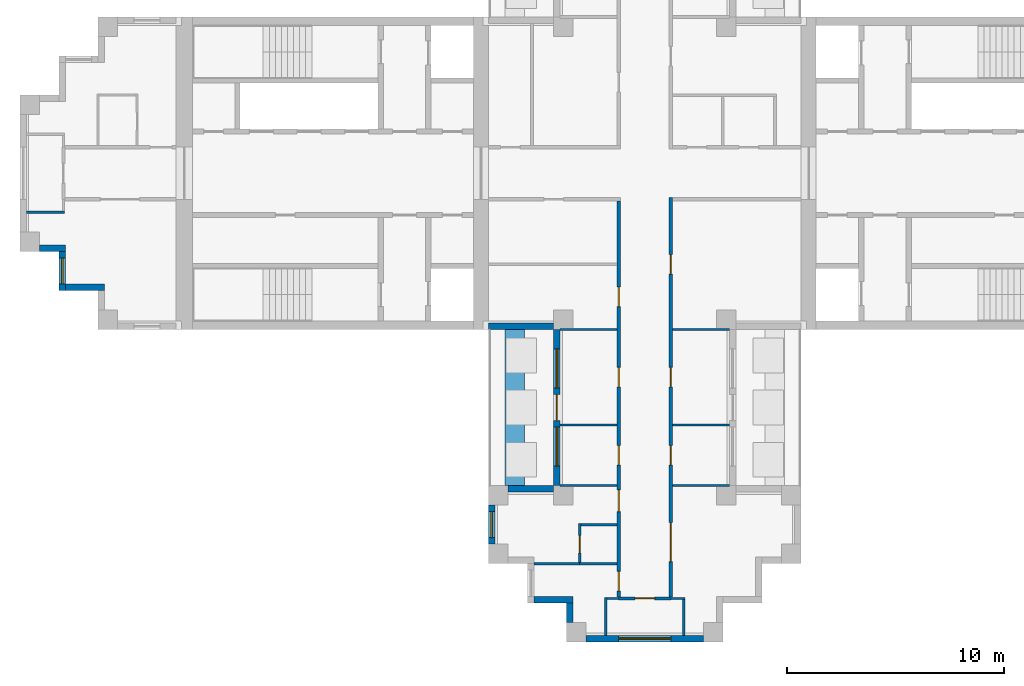
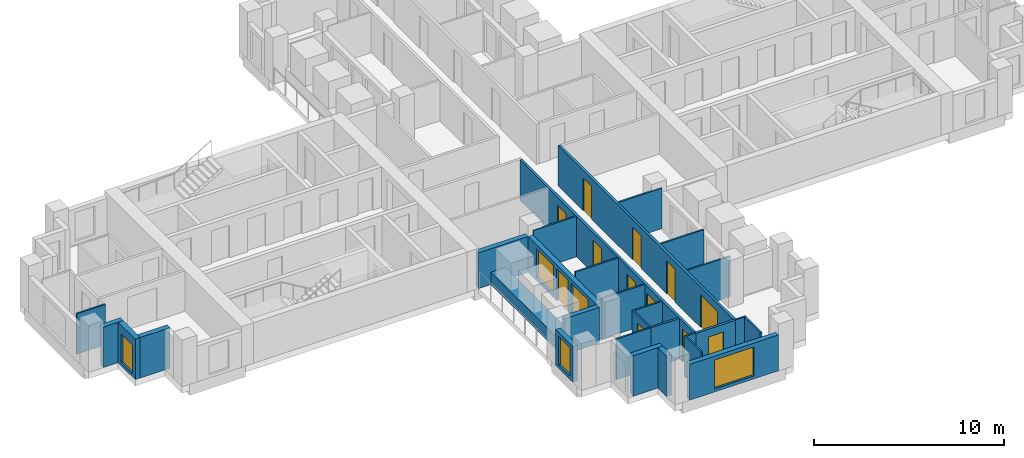
# One storey, part 2 of 9: 29 walls, 12 doors, 5 windows, 17 openings.
"""IFC4 building model written with IfcOpenShell, lengths in metres."""

from ifc_helpers import new_model, si_unit, direction, frame, frame_2d, origin, place, context, subcontext, project, spatial, rectangle, extrude, material, layer, layer_set, type_object, element, fill, save


model = new_model("IFC4")

# Units and contexts
model_context = context("Model", 3, precision=1e-05, world=origin(), true_north=direction((0.0, 1.0)))
body_context = subcontext(model_context, "Body", "Model", "MODEL_VIEW")
ifc_project = project(units=[si_unit("LENGTHUNIT", "METRE"), si_unit("AREAUNIT", "SQUARE_METRE"), si_unit("VOLUMEUNIT", "CUBIC_METRE"), si_unit("PLANEANGLEUNIT", "RADIAN"), si_unit("MASSUNIT", "GRAM", prefix="KILO")], contexts=[model_context])

# Site, building, storey
site_placement = place(None, origin())
site = spatial("IfcSite", under=ifc_project, at=site_placement, CompositionType="ELEMENT")
building_placement = place(site_placement, origin())
building = spatial("IfcBuilding", under=site, at=building_placement, Name="Fustian Cross Tower", CompositionType="ELEMENT")
storey_placement = place(building_placement, frame((0.0, 0.0, 219.89990234375)))
storey = spatial("IfcBuildingStorey", under=building, at=storey_placement, Name="L69", CompositionType="ELEMENT", Elevation=219.89990234375)

# Wall, openings, doors
ifc_material_1 = material(Name="Plasterboard on steel stud", Category="steel")
ifc_layer_1 = layer(ifc_material_1, 0.14990234375)
ifc_layer_set_1 = layer_set([ifc_layer_1], Name="Plasterboard on steel stud")
wall_type_1 = type_object("IfcWallType", Name="COMPARTMENT WALL 150 EI 60", PredefinedType="PARTITIONING", material=ifc_layer_set_1)
wall_1_placement = place(storey_placement, frame((-1.199951171875, -19.52490234375, 0.0), z_axis=(0.0, 0.0, 1.0), x_axis=(0.0, 1.0, 0.0)))
wall_1 = element("IfcWall", 1, at=wall_1_placement, inside=storey, type_object=wall_type_1, Name="Partition 29", PredefinedType="PARTITIONING", context=body_context, shape_type="SweptSolid", body=[
    extrude(rectangle(XDim=18.25, YDim=0.14990234375, at=frame_2d((9.125, 0.0))), origin(), (0.0, 0.0, 1.0), 2.60009765625),
])
opening_1_placement = place(wall_1_placement, frame((13.375, 0.0, 0.0)))
opening_1 = element("IfcOpeningElement", 2, at=opening_1_placement, cuts=wall_1, Name="Opening D31008", PredefinedType="OPENING", context=body_context, shape_type="SweptSolid", body=[
    extrude(rectangle(XDim=0.89990234375, YDim=2.10009765625, at=frame_2d((0.449951171875, 1.050048828125))), frame((0.0, 0.0849609375, 0.0), z_axis=(0.0, -1.0, 0.0), x_axis=(1.0, 0.0, 0.0)), (0.0, 0.0, 1.0), 0.169921875),
])
opening_2_placement = place(wall_1_placement, frame((6.074951171875, 0.0, 0.0)))
opening_2 = element("IfcOpeningElement", 3, at=opening_2_placement, cuts=wall_1, Name="Opening D31030", PredefinedType="OPENING", context=body_context, shape_type="SweptSolid", body=[
    extrude(rectangle(XDim=0.89990234375, YDim=2.10009765625, at=frame_2d((0.449951171875, 1.050048828125))), frame((0.0, 0.0849609375, 0.0), z_axis=(0.0, -1.0, 0.0), x_axis=(1.0, 0.0, 0.0)), (0.0, 0.0, 1.0), 0.169921875),
])
opening_3_placement = place(wall_1_placement, frame((9.675048828125, 0.0, 0.0)))
opening_3 = element("IfcOpeningElement", 4, at=opening_3_placement, cuts=wall_1, Name="Opening D31031", PredefinedType="OPENING", context=body_context, shape_type="SweptSolid", body=[
    extrude(rectangle(XDim=0.89990234375, YDim=2.10009765625, at=frame_2d((0.449951171875, 1.050048828125))), frame((0.0, 0.0849609375, 0.0), z_axis=(0.0, -1.0, 0.0), x_axis=(1.0, 0.0, 0.0)), (0.0, 0.0, 1.0), 0.169921875),
])
opening_4_placement = place(wall_1_placement, frame((3.925048828125, 0.0, 0.0)))
opening_4 = element("IfcOpeningElement", 5, at=opening_4_placement, cuts=wall_1, Name="Opening D31033", PredefinedType="OPENING", context=body_context, shape_type="SweptSolid", body=[
    extrude(rectangle(XDim=1.0, YDim=2.10009765625, at=frame_2d((0.5, 1.050048828125))), frame((0.0, 0.0849609375, 0.0), z_axis=(0.0, -1.0, 0.0), x_axis=(1.0, 0.0, 0.0)), (0.0, 0.0, 1.0), 0.169921875),
])
opening_5_placement = place(wall_1_placement, frame((0.27490234375, 0.0, 0.0)))
opening_5 = element("IfcOpeningElement", 6, at=opening_5_placement, cuts=wall_1, Name="Opening D31034", PredefinedType="OPENING", context=body_context, shape_type="SweptSolid", body=[
    extrude(rectangle(XDim=0.89990234375, YDim=2.10009765625, at=frame_2d((0.449951171875, 1.050048828125))), frame((0.0, 0.0849609375, 0.0), z_axis=(0.0, -1.0, 0.0), x_axis=(1.0, 0.0, 0.0)), (0.0, 0.0, 1.0), 0.169921875),
])
ifc_material_2 = material(Name="Timber fire door set", Category="wood")
door_type_1 = type_object("IfcDoorType", Name="FIRE SWING DOOR 1000 FD30S", OperationType="SINGLE_SWING_LEFT", PredefinedType="DOOR", material=ifc_material_2)
door_1_placement = place(opening_4_placement, origin())
door_1 = element("IfcDoor", 7, at=door_1_placement, inside=storey, type_object=door_type_1, Name="Door D31033", OperationType="SINGLE_SWING_RIGHT", OverallHeight=2.10009765625, OverallWidth=1.0, PredefinedType="DOOR", context=body_context, shape_type="SweptSolid", body=[
    extrude(rectangle(XDim=1.0, YDim=2.10009765625, at=frame_2d((0.5, 1.050048828125))), frame((0.0, 0.02490234375, 0.0), z_axis=(0.0, -1.0, 0.0), x_axis=(1.0, 0.0, 0.0)), (0.0, 0.0, 1.0), 0.050048828125),
])
fill(opening_4, door_1)
ifc_material_3 = material(Name="Timber fire door set", Category="wood")
door_type_2 = type_object("IfcDoorType", Name="FIRE SWING DOOR 900 FD30S", OperationType="SINGLE_SWING_LEFT", PredefinedType="DOOR", material=ifc_material_3)
door_2_placement = place(opening_1_placement, origin())
door_2 = element("IfcDoor", 8, at=door_2_placement, inside=storey, type_object=door_type_2, Name="Door D31008", OperationType="SINGLE_SWING_RIGHT", OverallHeight=2.10009765625, OverallWidth=0.89990234375, PredefinedType="DOOR", context=body_context, shape_type="SweptSolid", body=[
    extrude(rectangle(XDim=0.89990234375, YDim=2.10009765625, at=frame_2d((0.449951171875, 1.050048828125))), frame((0.0, 0.02490234375, 0.0), z_axis=(0.0, -1.0, 0.0), x_axis=(1.0, 0.0, 0.0)), (0.0, 0.0, 1.0), 0.050048828125),
])
fill(opening_1, door_2)
door_3_placement = place(opening_2_placement, origin())
door_3 = element("IfcDoor", 9, at=door_3_placement, inside=storey, type_object=door_type_2, Name="Door D31030", OperationType="SINGLE_SWING_LEFT", OverallHeight=2.10009765625, OverallWidth=0.89990234375, PredefinedType="DOOR", context=body_context, shape_type="SweptSolid", body=[
    extrude(rectangle(XDim=0.89990234375, YDim=2.10009765625, at=frame_2d((0.449951171875, 1.050048828125))), frame((0.0, 0.02490234375, 0.0), z_axis=(0.0, -1.0, 0.0), x_axis=(1.0, 0.0, 0.0)), (0.0, 0.0, 1.0), 0.050048828125),
])
fill(opening_2, door_3)
door_4_placement = place(opening_3_placement, origin())
door_4 = element("IfcDoor", 10, at=door_4_placement, inside=storey, type_object=door_type_2, Name="Door D31031", OperationType="SINGLE_SWING_LEFT", OverallHeight=2.10009765625, OverallWidth=0.89990234375, PredefinedType="DOOR", context=body_context, shape_type="SweptSolid", body=[
    extrude(rectangle(XDim=0.89990234375, YDim=2.10009765625, at=frame_2d((0.449951171875, 1.050048828125))), frame((0.0, 0.02490234375, 0.0), z_axis=(0.0, -1.0, 0.0), x_axis=(1.0, 0.0, 0.0)), (0.0, 0.0, 1.0), 0.050048828125),
])
fill(opening_3, door_4)
door_5_placement = place(opening_5_placement, origin())
door_5 = element("IfcDoor", 11, at=door_5_placement, inside=storey, type_object=door_type_2, Name="Door D31034", OperationType="SINGLE_SWING_LEFT", OverallHeight=2.10009765625, OverallWidth=0.89990234375, PredefinedType="DOOR", context=body_context, shape_type="SweptSolid", body=[
    extrude(rectangle(XDim=0.89990234375, YDim=2.10009765625, at=frame_2d((0.449951171875, 1.050048828125))), frame((0.0, 0.02490234375, 0.0), z_axis=(0.0, -1.0, 0.0), x_axis=(1.0, 0.0, 0.0)), (0.0, 0.0, 1.0), 0.050048828125),
])
fill(opening_5, door_5)

# Wall, opening, door
wall_2_placement = place(storey_placement, frame((-1.199951171875, -19.60009765625, 0.0), z_axis=(0.0, 0.0, 1.0), x_axis=(1.0, 0.0, 0.0)))
wall_2 = element("IfcWall", 12, at=wall_2_placement, inside=storey, type_object=wall_type_1, Name="Partition 30", PredefinedType="PARTITIONING", context=body_context, shape_type="SweptSolid", body=[
    extrude(rectangle(XDim=2.39990234375, YDim=0.14990234375, at=frame_2d((1.199951171875, 0.0))), origin(), (0.0, 0.0, 1.0), 2.60009765625),
])
opening_6_placement = place(wall_2_placement, frame((0.75, 0.0, 0.0)))
opening_6 = element("IfcOpeningElement", 13, at=opening_6_placement, cuts=wall_2, Name="Opening D31026", PredefinedType="OPENING", context=body_context, shape_type="SweptSolid", body=[
    extrude(rectangle(XDim=0.89990234375, YDim=2.10009765625, at=frame_2d((0.449951171875, 1.050048828125))), frame((0.0, 0.0849609375, 0.0), z_axis=(0.0, -1.0, 0.0), x_axis=(1.0, 0.0, 0.0)), (0.0, 0.0, 1.0), 0.169921875),
])
door_6_placement = place(opening_6_placement, frame((0.89990234375, 0.0, 0.0), z_axis=(0.0, 0.0, 1.0), x_axis=(-1.0, 0.0, 0.0)))
door_6 = element("IfcDoor", 14, at=door_6_placement, inside=storey, type_object=door_type_2, Name="Door D31026", OperationType="SINGLE_SWING_RIGHT", OverallHeight=2.10009765625, OverallWidth=0.89990234375, PredefinedType="DOOR", context=body_context, shape_type="SweptSolid", body=[
    extrude(rectangle(XDim=0.89990234375, YDim=2.10009765625, at=frame_2d((0.449951171875, 1.050048828125))), frame((0.0, 0.02490234375, 0.0), z_axis=(0.0, -1.0, 0.0), x_axis=(1.0, 0.0, 0.0)), (0.0, 0.0, 1.0), 0.050048828125),
])
fill(opening_6, door_6)

# Wall, openings, doors
wall_3_placement = place(storey_placement, frame((1.199951171875, -19.52490234375, 0.0), z_axis=(0.0, 0.0, 1.0), x_axis=(0.0, 1.0, 0.0)))
wall_3 = element("IfcWall", 15, at=wall_3_placement, inside=storey, type_object=wall_type_1, Name="Partition 33", PredefinedType="PARTITIONING", context=body_context, shape_type="SweptSolid", body=[
    extrude(rectangle(XDim=18.39990234375, YDim=0.14990234375, at=frame_2d((9.199951171875, 0.0))), origin(), (0.0, 0.0, 1.0), 2.60009765625),
])
opening_7_placement = place(wall_3_placement, frame((14.875, 0.0, 0.0)))
opening_7 = element("IfcOpeningElement", 16, at=opening_7_placement, cuts=wall_3, Name="Opening D31006", PredefinedType="OPENING", context=body_context, shape_type="SweptSolid", body=[
    extrude(rectangle(XDim=0.89990234375, YDim=2.10009765625, at=frame_2d((0.449951171875, 1.050048828125))), frame((0.0, 0.0849609375, 0.0), z_axis=(0.0, -1.0, 0.0), x_axis=(1.0, 0.0, 0.0)), (0.0, 0.0, 1.0), 0.169921875),
])
opening_8_placement = place(wall_3_placement, frame((6.074951171875, 0.0, 0.0)))
opening_8 = element("IfcOpeningElement", 17, at=opening_8_placement, cuts=wall_3, Name="Opening D31027", PredefinedType="OPENING", context=body_context, shape_type="SweptSolid", body=[
    extrude(rectangle(XDim=0.89990234375, YDim=2.10009765625, at=frame_2d((0.449951171875, 1.050048828125))), frame((0.0, 0.0849609375, 0.0), z_axis=(0.0, -1.0, 0.0), x_axis=(1.0, 0.0, 0.0)), (0.0, 0.0, 1.0), 0.169921875),
])
opening_9_placement = place(wall_3_placement, frame((9.675048828125, 0.0, 0.0)))
opening_9 = element("IfcOpeningElement", 18, at=opening_9_placement, cuts=wall_3, Name="Opening D31028", PredefinedType="OPENING", context=body_context, shape_type="SweptSolid", body=[
    extrude(rectangle(XDim=0.89990234375, YDim=2.10009765625, at=frame_2d((0.449951171875, 1.050048828125))), frame((0.0, 0.0849609375, 0.0), z_axis=(0.0, -1.0, 0.0), x_axis=(1.0, 0.0, 0.0)), (0.0, 0.0, 1.0), 0.169921875),
])
opening_10_placement = place(wall_3_placement, frame((1.625, 0.0, 0.0)))
opening_10 = element("IfcOpeningElement", 19, at=opening_10_placement, cuts=wall_3, Name="Opening D31029", PredefinedType="OPENING", context=body_context, shape_type="SweptSolid", body=[
    extrude(rectangle(XDim=1.800048828125, YDim=2.10009765625, at=frame_2d((0.89990234375, 1.050048828125))), frame((0.0, 0.0849609375, 0.0), z_axis=(0.0, -1.0, 0.0), x_axis=(1.0, 0.0, 0.0)), (0.0, 0.0, 1.0), 0.169921875),
])
ifc_material_4 = material(Name="Timber fire door set", Category="wood")
door_type_3 = type_object("IfcDoorType", Name="FIRE DOUBLE DOOR 1800 FD30S", OperationType="DOUBLE_DOOR_DOUBLE_SWING", PredefinedType="DOOR", material=ifc_material_4)
door_7_placement = place(opening_10_placement, origin())
door_7 = element("IfcDoor", 20, at=door_7_placement, inside=storey, type_object=door_type_3, Name="Door D31029", OperationType="DOUBLE_DOOR_DOUBLE_SWING", OverallHeight=2.10009765625, OverallWidth=1.800048828125, PredefinedType="DOOR", context=body_context, shape_type="SweptSolid", body=[
    extrude(rectangle(XDim=1.800048828125, YDim=2.10009765625, at=frame_2d((0.89990234375, 1.050048828125))), frame((0.0, 0.02490234375, 0.0), z_axis=(0.0, -1.0, 0.0), x_axis=(1.0, 0.0, 0.0)), (0.0, 0.0, 1.0), 0.050048828125),
])
fill(opening_10, door_7)
door_8_placement = place(opening_7_placement, frame((0.89990234375, 0.0, 0.0), z_axis=(0.0, 0.0, 1.0), x_axis=(-1.0, 0.0, 0.0)))
door_8 = element("IfcDoor", 21, at=door_8_placement, inside=storey, type_object=door_type_2, Name="Door D31006", OperationType="SINGLE_SWING_RIGHT", OverallHeight=2.10009765625, OverallWidth=0.89990234375, PredefinedType="DOOR", context=body_context, shape_type="SweptSolid", body=[
    extrude(rectangle(XDim=0.89990234375, YDim=2.10009765625, at=frame_2d((0.449951171875, 1.050048828125))), frame((0.0, 0.02490234375, 0.0), z_axis=(0.0, -1.0, 0.0), x_axis=(1.0, 0.0, 0.0)), (0.0, 0.0, 1.0), 0.050048828125),
])
fill(opening_7, door_8)
door_9_placement = place(opening_8_placement, frame((0.89990234375, 0.0, 0.0), z_axis=(0.0, 0.0, 1.0), x_axis=(-1.0, 0.0, 0.0)))
door_9 = element("IfcDoor", 22, at=door_9_placement, inside=storey, type_object=door_type_2, Name="Door D31027", OperationType="SINGLE_SWING_RIGHT", OverallHeight=2.10009765625, OverallWidth=0.89990234375, PredefinedType="DOOR", context=body_context, shape_type="SweptSolid", body=[
    extrude(rectangle(XDim=0.89990234375, YDim=2.10009765625, at=frame_2d((0.449951171875, 1.050048828125))), frame((0.0, 0.02490234375, 0.0), z_axis=(0.0, -1.0, 0.0), x_axis=(1.0, 0.0, 0.0)), (0.0, 0.0, 1.0), 0.050048828125),
])
fill(opening_8, door_9)
door_10_placement = place(opening_9_placement, frame((0.89990234375, 0.0, 0.0), z_axis=(0.0, 0.0, 1.0), x_axis=(-1.0, 0.0, 0.0)))
door_10 = element("IfcDoor", 23, at=door_10_placement, inside=storey, type_object=door_type_2, Name="Door D31028", OperationType="SINGLE_SWING_RIGHT", OverallHeight=2.10009765625, OverallWidth=0.89990234375, PredefinedType="DOOR", context=body_context, shape_type="SweptSolid", body=[
    extrude(rectangle(XDim=0.89990234375, YDim=2.10009765625, at=frame_2d((0.449951171875, 1.050048828125))), frame((0.0, 0.02490234375, 0.0), z_axis=(0.0, -1.0, 0.0), x_axis=(1.0, 0.0, 0.0)), (0.0, 0.0, 1.0), 0.050048828125),
])
fill(opening_9, door_10)

# Walls
ifc_material_5 = material(Name="Plasterboard on steel stud", Category="steel")
ifc_layer_2 = layer(ifc_material_5, 0.10009765625)
ifc_layer_set_2 = layer_set([ifc_layer_2], Name="Plasterboard on steel stud")
wall_type_2 = type_object("IfcWallType", Name="PARTITION 100 STUD", PredefinedType="PARTITIONING", material=ifc_layer_set_2)
wall_4_placement = place(storey_placement, frame((-28.5, -1.800048828125, 0.0), z_axis=(0.0, 0.0, 1.0), x_axis=(1.0, 0.0, 0.0)))
element("IfcWall", 24, at=wall_4_placement, inside=storey, type_object=wall_type_2, Name="Partition 1", PredefinedType="PARTITIONING", context=body_context, shape_type="SweptSolid", body=[
    extrude(rectangle(XDim=1.75, YDim=0.10009765625, at=frame_2d((0.875, 0.0))), origin(), (0.0, 0.0, 1.0), 2.60009765625),
])
wall_5_placement = place(storey_placement, frame((-5.10009765625, -18.0, 0.0), z_axis=(0.0, 0.0, 1.0), x_axis=(1.0, 0.0, 0.0)))
element("IfcWall", 25, at=wall_5_placement, inside=storey, type_object=wall_type_2, Name="Partition 15", PredefinedType="PARTITIONING", context=body_context, shape_type="SweptSolid", body=[
    extrude(rectangle(XDim=2.10009765625, YDim=0.10009765625, at=frame_2d((1.050048828125, 0.0))), origin(), (0.0, 0.0, 1.0), 2.60009765625),
])
for number, where, z_axis, x_axis, name in (
    (26, (-3.89990234375, -14.39990234375, 0.0), (0.0, 0.0, 1.0), (1.0, 0.0, 0.0), "Partition 17"),
    (27, (-3.89990234375, -11.60009765625, 0.0), (0.0, 0.0, 1.0), (1.0, 0.0, 0.0), "Partition 18"),
    (28, (-3.89990234375, -7.199951171875, 0.0), (0.0, 0.0, 1.0), (1.0, 0.0, 0.0), "Partition 19"),
):
    element("IfcWall", number, at=place(storey_placement, frame(where, z_axis=z_axis, x_axis=x_axis)), inside=storey, type_object=wall_type_2, Name=name, PredefinedType="PARTITIONING", context=body_context, shape_type="SweptSolid", body=[
        extrude(rectangle(XDim=2.625, YDim=0.10009765625, at=frame_2d((1.3125, 0.0))), origin(), (0.0, 0.0, 1.0), 2.60009765625),
    ])

# Wall, opening, door
wall_6_placement = place(storey_placement, frame((-3.0, -17.9375, 0.0), z_axis=(0.0, 0.0, 1.0), x_axis=(0.0, 1.0, 0.0)))
wall_6 = element("IfcWall", 29, at=wall_6_placement, inside=storey, type_object=wall_type_2, Name="Partition 22", PredefinedType="PARTITIONING", context=body_context, shape_type="SweptSolid", body=[
    extrude(rectangle(XDim=1.78759765625, YDim=0.10009765625, at=frame_2d((0.893798828125, 0.0))), origin(), (0.0, 0.0, 1.0), 2.60009765625),
])
opening_11_placement = place(wall_6_placement, frame((0.4375, 0.0, 0.0)))
opening_11 = element("IfcOpeningElement", 30, at=opening_11_placement, cuts=wall_6, Name="Opening D31032", PredefinedType="OPENING", context=body_context, shape_type="SweptSolid", body=[
    extrude(rectangle(XDim=0.800048828125, YDim=2.10009765625, at=frame_2d((0.39990234375, 1.050048828125))), frame((0.0, 0.06005859375, 0.0), z_axis=(0.0, -1.0, 0.0), x_axis=(1.0, 0.0, 0.0)), (0.0, 0.0, 1.0), 0.1201171875),
])
ifc_material_6 = material(Name="Painted timber", Category="wood")
door_type_4 = type_object("IfcDoorType", Name="SWING DOOR 800", OperationType="SINGLE_SWING_LEFT", PredefinedType="DOOR", material=ifc_material_6)
door_11_placement = place(opening_11_placement, frame((0.800048828125, 0.0, 0.0), z_axis=(0.0, 0.0, 1.0), x_axis=(-1.0, 0.0, 0.0)))
door_11 = element("IfcDoor", 31, at=door_11_placement, inside=storey, type_object=door_type_4, Name="Door D31032", OperationType="SINGLE_SWING_LEFT", OverallHeight=2.10009765625, OverallWidth=0.800048828125, PredefinedType="DOOR", context=body_context, shape_type="SweptSolid", body=[
    extrude(rectangle(XDim=0.800048828125, YDim=2.10009765625, at=frame_2d((0.39990234375, 1.050048828125))), frame((0.0, 0.02490234375, 0.0), z_axis=(0.0, -1.0, 0.0), x_axis=(1.0, 0.0, 0.0)), (0.0, 0.0, 1.0), 0.050048828125),
])
fill(opening_11, door_11)

# Walls
wall_7_placement = place(storey_placement, frame((-2.949951171875, -16.199951171875, 0.0), z_axis=(0.0, 0.0, 1.0), x_axis=(1.0, 0.0, 0.0)))
element("IfcWall", 32, at=wall_7_placement, inside=storey, type_object=wall_type_2, Name="Partition 24", PredefinedType="PARTITIONING", context=body_context, shape_type="SweptSolid", body=[
    extrude(rectangle(XDim=1.675048828125, YDim=0.10009765625, at=frame_2d((0.83740234375, 0.0))), origin(), (0.0, 0.0, 1.0), 2.60009765625),
])
wall_8_placement = place(storey_placement, frame((-1.800048828125, -21.300048828125, 0.0), z_axis=(0.0, 0.0, 1.0), x_axis=(0.0, 1.0, 0.0)))
element("IfcWall", 33, at=wall_8_placement, inside=storey, type_object=wall_type_2, Name="Partition 25", PredefinedType="PARTITIONING", context=body_context, shape_type="SweptSolid", body=[
    extrude(rectangle(XDim=1.75, YDim=0.10009765625, at=frame_2d((0.875, 0.0))), origin(), (0.0, 0.0, 1.0), 2.60009765625),
])
wall_9_placement = place(storey_placement, frame((-1.75, -19.60009765625, 0.0), z_axis=(0.0, 0.0, 1.0), x_axis=(1.0, 0.0, 0.0)))
element("IfcWall", 34, at=wall_9_placement, inside=storey, type_object=wall_type_2, Name="Partition 26", PredefinedType="PARTITIONING", context=body_context, shape_type="SweptSolid", body=[
    extrude(rectangle(XDim=0.550048828125, YDim=0.10009765625, at=frame_2d((0.27490234375, 0.0))), origin(), (0.0, 0.0, 1.0), 2.60009765625),
])
wall_10_placement = place(storey_placement, frame((1.199951171875, -19.60009765625, 0.0), z_axis=(0.0, 0.0, 1.0), x_axis=(1.0, 0.0, 0.0)))
element("IfcWall", 35, at=wall_10_placement, inside=storey, type_object=wall_type_2, Name="Partition 34", PredefinedType="PARTITIONING", context=body_context, shape_type="SweptSolid", body=[
    extrude(rectangle(XDim=0.650146484375, YDim=0.10009765625, at=frame_2d((0.3251953125, 0.0))), origin(), (0.0, 0.0, 1.0), 2.60009765625),
])
for number, where, z_axis, x_axis, name in (
    (36, (1.27490234375, -14.39990234375, 0.0), (0.0, 0.0, 1.0), (1.0, 0.0, 0.0), "Partition 35"),
    (37, (1.27490234375, -11.60009765625, 0.0), (0.0, 0.0, 1.0), (1.0, 0.0, 0.0), "Partition 36"),
    (38, (1.27490234375, -7.199951171875, 0.0), (0.0, 0.0, 1.0), (1.0, 0.0, 0.0), "Partition 37"),
):
    element("IfcWall", number, at=place(storey_placement, frame(where, z_axis=z_axis, x_axis=x_axis)), inside=storey, type_object=wall_type_2, Name=name, PredefinedType="PARTITIONING", context=body_context, shape_type="SweptSolid", body=[
        extrude(rectangle(XDim=2.625, YDim=0.10009765625, at=frame_2d((1.3125, 0.0))), origin(), (0.0, 0.0, 1.0), 2.60009765625),
    ])
wall_11_placement = place(storey_placement, frame((1.800048828125, -21.300048828125, 0.0), z_axis=(0.0, 0.0, 1.0), x_axis=(0.0, 1.0, 0.0)))
element("IfcWall", 39, at=wall_11_placement, inside=storey, type_object=wall_type_2, Name="Partition 46", PredefinedType="PARTITIONING", context=body_context, shape_type="SweptSolid", body=[
    extrude(rectangle(XDim=1.650146484375, YDim=0.10009765625, at=frame_2d((0.8251953125, 0.0))), origin(), (0.0, 0.0, 1.0), 2.60009765625),
])
ifc_material_7 = material(Name="Concrete C40/50", Category="concrete")
ifc_layer_3 = layer(ifc_material_7, 0.89990234375)
ifc_layer_set_3 = layer_set([ifc_layer_3], Name="Concrete C40/50")
wall_type_3 = type_object("IfcWallType", Name="PK1 PLANTER 900", PredefinedType="PARAPET", material=ifc_layer_set_3)
wall_12_placement = place(storey_placement, frame((-6.0, -14.39990234375, 0.0), z_axis=(0.0, 0.0, 1.0), x_axis=(0.0, 1.0, 0.0)))
element("IfcWall", 40, at=wall_12_placement, inside=storey, type_object=wall_type_3, Name="PLANTER", PredefinedType="PARAPET", context=body_context, shape_type="SweptSolid", body=[
    extrude(rectangle(XDim=7.199951171875, YDim=0.89990234375, at=frame_2d((3.60009765625, 0.0))), origin(), (0.0, 0.0, 1.0), 0.800048828125),
])
ifc_material_8 = material(Name="Plasterboard on steel stud", Category="steel")
ifc_layer_4 = layer(ifc_material_8, 0.125)
ifc_layer_set_4 = layer_set([ifc_layer_4], Name="Plasterboard on steel stud")
wall_type_4 = type_object("IfcWallType", Name="WET WALL 125 STUD", PredefinedType="PARTITIONING", material=ifc_layer_set_4)
wall_13_placement = place(storey_placement, frame((-3.0, -18.0, 0.0), z_axis=(0.0, 0.0, 1.0), x_axis=(1.0, 0.0, 0.0)))
element("IfcWall", 41, at=wall_13_placement, inside=storey, type_object=wall_type_4, Name="Partition 23", PredefinedType="PARTITIONING", context=body_context, shape_type="SweptSolid", body=[
    extrude(rectangle(XDim=1.72509765625, YDim=0.125, at=frame_2d((0.862548828125, 0.0))), origin(), (0.0, 0.0, 1.0), 2.60009765625),
])
ifc_material_9 = material(Name="Dark aluminium cladding on insulated backing wall", Category="aluminium")
ifc_layer_5 = layer(ifc_material_9, 0.300048828125)
ifc_layer_set_5 = layer_set([ifc_layer_5], Name="Dark aluminium cladding on insulated backing wall")
wall_type_5 = type_object("IfcWallType", Name="XW1 EXTERNAL WALL 300", PredefinedType="SOLIDWALL", material=ifc_layer_set_5)
wall_14_placement = place(storey_placement, frame((-27.89990234375, -3.449951171875, 0.0), z_axis=(0.0, 0.0, 1.0), x_axis=(1.0, 0.0, 0.0)))
element("IfcWall", 42, at=wall_14_placement, inside=storey, type_object=wall_type_5, Name="External wall", PredefinedType="SOLIDWALL", context=body_context, shape_type="SweptSolid", body=[
    extrude(rectangle(XDim=1.199951171875, YDim=0.300048828125, at=frame_2d((0.60009765625, 0.0))), origin(), (0.0, 0.0, 1.0), 2.60009765625),
])

# Wall, opening, window
wall_15_placement = place(storey_placement, frame((-26.85009765625, -3.60009765625, 0.0), z_axis=(0.0, 0.0, 1.0), x_axis=(0.0, -1.0, 0.0)))
wall_15 = element("IfcWall", 43, at=wall_15_placement, inside=storey, type_object=wall_type_5, Name="External wall", PredefinedType="SOLIDWALL", context=body_context, shape_type="SweptSolid", body=[
    extrude(rectangle(XDim=1.7998046875, YDim=0.300048828125, at=frame_2d((0.89990234375, 0.0))), origin(), (0.0, 0.0, 1.0), 2.60009765625),
])
opening_12_placement = place(wall_15_placement, frame((0.300048828125, 0.0, 0.199951171875)))
opening_12 = element("IfcOpeningElement", 44, at=opening_12_placement, cuts=wall_15, Name="Opening WN3", PredefinedType="OPENING", context=body_context, shape_type="SweptSolid", body=[
    extrude(rectangle(XDim=1.199951171875, YDim=1.85009765625, at=frame_2d((0.60009765625, 0.925048828125))), frame((0.0, 0.159912109375, 0.0), z_axis=(0.0, -1.0, 0.0), x_axis=(1.0, 0.0, 0.0)), (0.0, 0.0, 1.0), 0.320068359375),
])
ifc_material_10 = material(Name="Dark anodised aluminium and double glazing", Category="aluminium")
window_type_1 = type_object("IfcWindowType", Name="WN3 WINDOW 1200X1850", PartitioningType="SINGLE_PANEL", PredefinedType="WINDOW", material=ifc_material_10)
window_1_placement = place(opening_12_placement, origin())
window_1 = element("IfcWindow", 45, at=window_1_placement, inside=storey, type_object=window_type_1, Name="Window", OverallHeight=1.85009765625, OverallWidth=1.199951171875, PartitioningType="SINGLE_PANEL", PredefinedType="WINDOW", context=body_context, shape_type="SweptSolid", body=[
    extrude(rectangle(XDim=1.199951171875, YDim=1.85009765625, at=frame_2d((0.60009765625, 0.925048828125))), frame((0.0, 0.030029296875, 0.0), z_axis=(0.0, -1.0, 0.0), x_axis=(1.0, 0.0, 0.0)), (0.0, 0.0, 1.0), 0.06005859375),
])
fill(opening_12, window_1)

# Walls
wall_16_placement = place(storey_placement, frame((-26.699951171875, -5.25, 0.0), z_axis=(0.0, 0.0, 1.0), x_axis=(1.0, 0.0, 0.0)))
element("IfcWall", 46, at=wall_16_placement, inside=storey, type_object=wall_type_5, Name="External wall", PredefinedType="SOLIDWALL", context=body_context, shape_type="SweptSolid", body=[
    extrude(rectangle(XDim=1.800048828125, YDim=0.300048828125, at=frame_2d((0.89990234375, 0.0))), origin(), (0.0, 0.0, 1.0), 2.60009765625),
])
wall_17_placement = place(storey_placement, frame((-7.199951171875, -7.050048828125, 0.0), z_axis=(0.0, 0.0, 1.0), x_axis=(1.0, 0.0, 0.0)))
element("IfcWall", 47, at=wall_17_placement, inside=storey, type_object=wall_type_5, Name="External wall", PredefinedType="SOLIDWALL", context=body_context, shape_type="SweptSolid", body=[
    extrude(rectangle(XDim=3.0, YDim=0.300048828125, at=frame_2d((1.5, 0.0))), origin(), (0.0, 0.0, 1.0), 2.300048828125),
])

# Wall, openings, door, windows
wall_18_placement = place(storey_placement, frame((-4.050048828125, -7.199951171875, 0.0), z_axis=(0.0, 0.0, 1.0), x_axis=(0.0, -1.0, 0.0)))
wall_18 = element("IfcWall", 48, at=wall_18_placement, inside=storey, type_object=wall_type_5, Name="External wall", PredefinedType="SOLIDWALL", context=body_context, shape_type="SweptSolid", body=[
    extrude(rectangle(XDim=7.199951171875, YDim=0.300048828125, at=frame_2d((3.60009765625, 0.0))), origin(), (0.0, 0.0, 1.0), 2.300048828125),
])
opening_13_placement = place(wall_18_placement, frame((3.0, 0.0, 0.0)))
opening_13 = element("IfcOpeningElement", 49, at=opening_13_placement, cuts=wall_18, Name="Opening XD4", PredefinedType="OPENING", context=body_context, shape_type="SweptSolid", body=[
    extrude(rectangle(XDim=1.199951171875, YDim=2.050048828125, at=frame_2d((0.60009765625, 1.02490234375))), frame((0.0, 0.159912109375, 0.0), z_axis=(0.0, -1.0, 0.0), x_axis=(1.0, 0.0, 0.0)), (0.0, 0.0, 1.0), 0.320068359375),
])
opening_14_placement = place(wall_18_placement, frame((0.89990234375, 0.0, 0.199951171875)))
opening_14 = element("IfcOpeningElement", 50, at=opening_14_placement, cuts=wall_18, Name="Opening WN2", PredefinedType="OPENING", context=body_context, shape_type="SweptSolid", body=[
    extrude(rectangle(XDim=1.800048828125, YDim=1.85009765625, at=frame_2d((0.89990234375, 0.925048828125))), frame((0.0, 0.159912109375, 0.0), z_axis=(0.0, -1.0, 0.0), x_axis=(1.0, 0.0, 0.0)), (0.0, 0.0, 1.0), 0.320068359375),
])
opening_15_placement = place(wall_18_placement, frame((4.5, 0.0, 0.199951171875)))
opening_15 = element("IfcOpeningElement", 51, at=opening_15_placement, cuts=wall_18, Name="Opening WN2", PredefinedType="OPENING", context=body_context, shape_type="SweptSolid", body=[
    extrude(rectangle(XDim=1.800048828125, YDim=1.85009765625, at=frame_2d((0.89990234375, 0.925048828125))), frame((0.0, 0.159912109375, 0.0), z_axis=(0.0, -1.0, 0.0), x_axis=(1.0, 0.0, 0.0)), (0.0, 0.0, 1.0), 0.320068359375),
])
ifc_material_11 = material(Name="Dark anodised aluminium and double glazing", Category="aluminium")
door_type_5 = type_object("IfcDoorType", Name="ED1 BALCONY DOOR 1200X2050", OperationType="SINGLE_SWING_LEFT", PredefinedType="DOOR", material=ifc_material_11)
door_12_placement = place(opening_13_placement, origin())
door_12 = element("IfcDoor", 52, at=door_12_placement, inside=storey, type_object=door_type_5, Name="Balcony door", OperationType="SINGLE_SWING_LEFT", OverallHeight=2.050048828125, OverallWidth=1.199951171875, PredefinedType="DOOR", context=body_context, shape_type="SweptSolid", body=[
    extrude(rectangle(XDim=1.199951171875, YDim=2.050048828125, at=frame_2d((0.60009765625, 1.02490234375))), frame((0.0, 0.02490234375, 0.0), z_axis=(0.0, -1.0, 0.0), x_axis=(1.0, 0.0, 0.0)), (0.0, 0.0, 1.0), 0.050048828125),
])
fill(opening_13, door_12)
ifc_material_12 = material(Name="Dark anodised aluminium and double glazing", Category="aluminium")
window_type_2 = type_object("IfcWindowType", Name="WN2 WINDOW 1800X1850", PartitioningType="SINGLE_PANEL", PredefinedType="WINDOW", material=ifc_material_12)
window_2_placement = place(opening_14_placement, origin())
window_2 = element("IfcWindow", 53, at=window_2_placement, inside=storey, type_object=window_type_2, Name="Window", OverallHeight=1.85009765625, OverallWidth=1.800048828125, PartitioningType="SINGLE_PANEL", PredefinedType="WINDOW", context=body_context, shape_type="SweptSolid", body=[
    extrude(rectangle(XDim=1.800048828125, YDim=1.85009765625, at=frame_2d((0.89990234375, 0.925048828125))), frame((0.0, 0.030029296875, 0.0), z_axis=(0.0, -1.0, 0.0), x_axis=(1.0, 0.0, 0.0)), (0.0, 0.0, 1.0), 0.06005859375),
])
fill(opening_14, window_2)
window_3_placement = place(opening_15_placement, origin())
window_3 = element("IfcWindow", 54, at=window_3_placement, inside=storey, type_object=window_type_2, Name="Window", OverallHeight=1.85009765625, OverallWidth=1.800048828125, PartitioningType="SINGLE_PANEL", PredefinedType="WINDOW", context=body_context, shape_type="SweptSolid", body=[
    extrude(rectangle(XDim=1.800048828125, YDim=1.85009765625, at=frame_2d((0.89990234375, 0.925048828125))), frame((0.0, 0.030029296875, 0.0), z_axis=(0.0, -1.0, 0.0), x_axis=(1.0, 0.0, 0.0)), (0.0, 0.0, 1.0), 0.06005859375),
])
fill(opening_15, window_3)

# Wall
wall_19_placement = place(storey_placement, frame((-4.199951171875, -14.550048828125, 0.0), z_axis=(0.0, 0.0, 1.0), x_axis=(-1.0, 0.0, 0.0)))
element("IfcWall", 55, at=wall_19_placement, inside=storey, type_object=wall_type_5, Name="External wall", PredefinedType="SOLIDWALL", context=body_context, shape_type="SweptSolid", body=[
    extrude(rectangle(XDim=2.10009765625, YDim=0.300048828125, at=frame_2d((1.050048828125, 0.0))), origin(), (0.0, 0.0, 1.0), 2.300048828125),
])

# Wall, opening, window
wall_20_placement = place(storey_placement, frame((-7.050048828125, -15.300048828125, 0.0), z_axis=(0.0, 0.0, 1.0), x_axis=(0.0, -1.0, 0.0)))
wall_20 = element("IfcWall", 56, at=wall_20_placement, inside=storey, type_object=wall_type_5, Name="External wall", PredefinedType="SOLIDWALL", context=body_context, shape_type="SweptSolid", body=[
    extrude(rectangle(XDim=1.800048828125, YDim=0.300048828125, at=frame_2d((0.89990234375, 0.0))), origin(), (0.0, 0.0, 1.0), 2.300048828125),
])
opening_16_placement = place(wall_20_placement, frame((0.300048828125, 0.0, 0.199951171875)))
opening_16 = element("IfcOpeningElement", 57, at=opening_16_placement, cuts=wall_20, Name="Opening WN3", PredefinedType="OPENING", context=body_context, shape_type="SweptSolid", body=[
    extrude(rectangle(XDim=1.199951171875, YDim=1.85009765625, at=frame_2d((0.60009765625, 0.925048828125))), frame((0.0, 0.159912109375, 0.0), z_axis=(0.0, -1.0, 0.0), x_axis=(1.0, 0.0, 0.0)), (0.0, 0.0, 1.0), 0.320068359375),
])
window_4_placement = place(opening_16_placement, origin())
window_4 = element("IfcWindow", 58, at=window_4_placement, inside=storey, type_object=window_type_1, Name="Window", OverallHeight=1.85009765625, OverallWidth=1.199951171875, PartitioningType="SINGLE_PANEL", PredefinedType="WINDOW", context=body_context, shape_type="SweptSolid", body=[
    extrude(rectangle(XDim=1.199951171875, YDim=1.85009765625, at=frame_2d((0.60009765625, 0.925048828125))), frame((0.0, 0.030029296875, 0.0), z_axis=(0.0, -1.0, 0.0), x_axis=(1.0, 0.0, 0.0)), (0.0, 0.0, 1.0), 0.06005859375),
])
fill(opening_16, window_4)

# Walls
wall_21_placement = place(storey_placement, frame((-5.10009765625, -19.64990234375, 0.0), z_axis=(0.0, 0.0, 1.0), x_axis=(1.0, 0.0, 0.0)))
element("IfcWall", 59, at=wall_21_placement, inside=storey, type_object=wall_type_5, Name="External wall", PredefinedType="SOLIDWALL", context=body_context, shape_type="SweptSolid", body=[
    extrude(rectangle(XDim=1.800048828125, YDim=0.300048828125, at=frame_2d((0.89990234375, 0.0))), origin(), (0.0, 0.0, 1.0), 2.60009765625),
])
wall_22_placement = place(storey_placement, frame((-3.449951171875, -19.800048828125, 0.0), z_axis=(0.0, 0.0, 1.0), x_axis=(0.0, -1.0, 0.0)))
element("IfcWall", 60, at=wall_22_placement, inside=storey, type_object=wall_type_5, Name="External wall", PredefinedType="SOLIDWALL", context=body_context, shape_type="SweptSolid", body=[
    extrude(rectangle(XDim=0.89990234375, YDim=0.300048828125, at=frame_2d((0.449951171875, 0.0))), origin(), (0.0, 0.0, 1.0), 2.60009765625),
])

# Wall, opening, window
wall_23_placement = place(storey_placement, frame((-2.699951171875, -21.449951171875, 0.0), z_axis=(0.0, 0.0, 1.0), x_axis=(1.0, 0.0, 0.0)))
wall_23 = element("IfcWall", 61, at=wall_23_placement, inside=storey, type_object=wall_type_5, Name="External wall", PredefinedType="SOLIDWALL", context=body_context, shape_type="SweptSolid", body=[
    extrude(rectangle(XDim=5.39990234375, YDim=0.300048828125, at=frame_2d((2.699951171875, 0.0))), origin(), (0.0, 0.0, 1.0), 2.300048828125),
])
opening_17_placement = place(wall_23_placement, frame((1.5, 0.0, 0.199951171875)))
opening_17 = element("IfcOpeningElement", 62, at=opening_17_placement, cuts=wall_23, Name="Opening WN1", PredefinedType="OPENING", context=body_context, shape_type="SweptSolid", body=[
    extrude(rectangle(XDim=2.39990234375, YDim=1.85009765625, at=frame_2d((1.199951171875, 0.925048828125))), frame((0.0, 0.159912109375, 0.0), z_axis=(0.0, -1.0, 0.0), x_axis=(1.0, 0.0, 0.0)), (0.0, 0.0, 1.0), 0.320068359375),
])
ifc_material_13 = material(Name="Dark anodised aluminium and double glazing", Category="aluminium")
window_type_3 = type_object("IfcWindowType", Name="WN1 WINDOW 2400X1850", PartitioningType="SINGLE_PANEL", PredefinedType="WINDOW", material=ifc_material_13)
window_5_placement = place(opening_17_placement, origin())
window_5 = element("IfcWindow", 63, at=window_5_placement, inside=storey, type_object=window_type_3, Name="Window", OverallHeight=1.85009765625, OverallWidth=2.39990234375, PartitioningType="SINGLE_PANEL", PredefinedType="WINDOW", context=body_context, shape_type="SweptSolid", body=[
    extrude(rectangle(XDim=2.39990234375, YDim=1.85009765625, at=frame_2d((1.199951171875, 0.925048828125))), frame((0.0, 0.030029296875, 0.0), z_axis=(0.0, -1.0, 0.0), x_axis=(1.0, 0.0, 0.0)), (0.0, 0.0, 1.0), 0.06005859375),
])
fill(opening_17, window_5)

save(model, "model.ifc")
